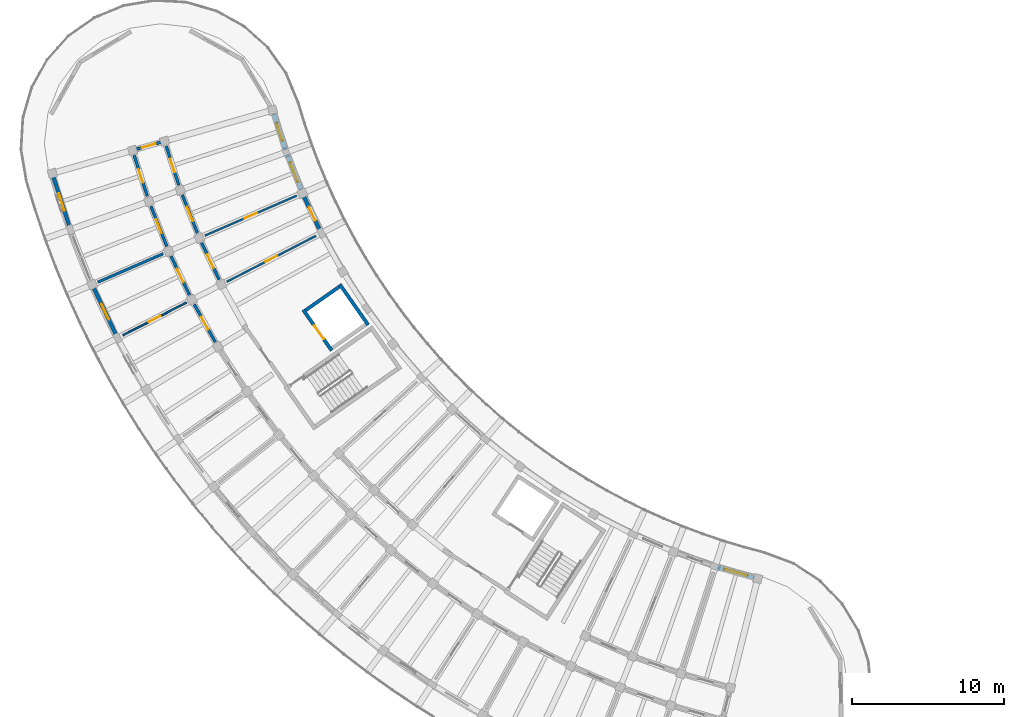
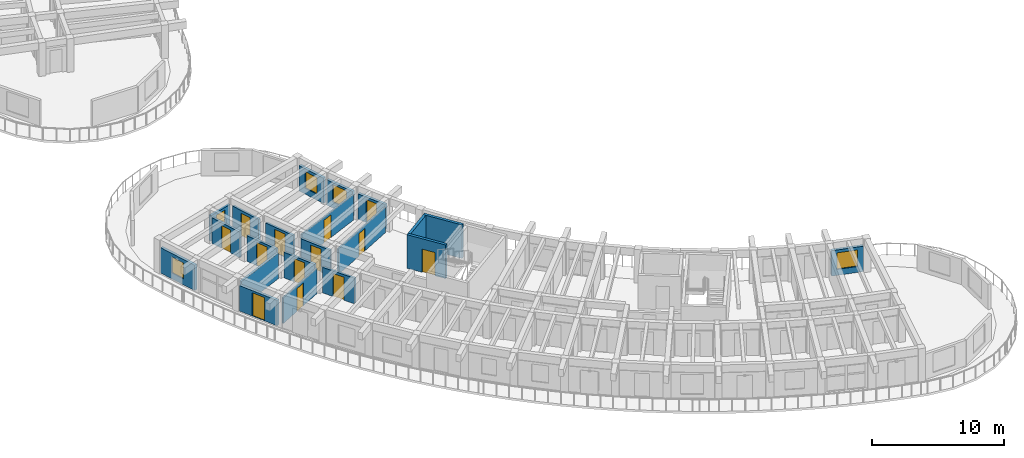
# One storey, part 43 of 81: 21 walls, 14 doors, 4 windows, 18 openings.
"""IFC4 building model written with IfcOpenShell, lengths in metres."""

from ifc_helpers import new_model, si_unit, direction, frame, frame_2d, origin, place, context, subcontext, project, spatial, rectangle, extrude, material, layer, layer_set, type_object, element, fill, save


model = new_model("IFC4")

# Units and contexts
model_context = context("Model", 3, precision=1e-05, world=origin(), true_north=direction((0.0, 1.0)))
body_context = subcontext(model_context, "Body", "Model", "MODEL_VIEW")
ifc_project = project(units=[si_unit("LENGTHUNIT", "METRE"), si_unit("AREAUNIT", "SQUARE_METRE"), si_unit("VOLUMEUNIT", "CUBIC_METRE"), si_unit("PLANEANGLEUNIT", "RADIAN"), si_unit("MASSUNIT", "GRAM", prefix="KILO")], contexts=[model_context])

# Site, building, storey
site_placement = place(None, origin())
site = spatial("IfcSite", under=ifc_project, at=site_placement, CompositionType="ELEMENT")
building_placement = place(site_placement, origin())
building = spatial("IfcBuilding", under=site, at=building_placement, Name="Tanwirah Colonnade Gardens", CompositionType="ELEMENT")
storey_placement = place(building_placement, frame((0.0, 0.0, 18.919921875)))
storey = spatial("IfcBuildingStorey", under=building, at=storey_placement, Name="L05", CompositionType="ELEMENT", Elevation=18.919921875)

# Wall, opening, window
ifc_material_1 = material(Name="Limestone architectural precast concrete C40/50", Category="masonry")
ifc_layer_1 = layer(ifc_material_1, 0.2451171875)
ifc_layer_set_1 = layer_set([ifc_layer_1], Name="Limestone architectural precast concrete C40/50")
wall_type_1 = type_object("IfcWallType", Name="EW-PC245", PredefinedType="SOLIDWALL", material=ifc_layer_set_1)
wall_1_placement = place(storey_placement, frame((7.83349609375, 47.847900390625, 0.0), z_axis=(0.0, 0.0, 1.0), x_axis=(0.306949591136, -0.951725773793, 0.0)))
wall_1 = element("IfcWall", 1, at=wall_1_placement, inside=storey, type_object=wall_type_1, Name="Block C L05 OUT Precast Facade Wall 0", PredefinedType="SOLIDWALL", context=body_context, shape_type="SweptSolid", body=[
    extrude(rectangle(XDim=3.48681640625, YDim=0.2451171875, at=frame_2d((1.743408203125, 0.0))), origin(), (0.0, 0.0, 1.0), 2.35498046875),
])
opening_1_placement = place(wall_1_placement, frame((1.1533203125, 0.0, 0.550048828125)))
opening_1 = element("IfcOpeningElement", 2, at=opening_1_placement, cuts=wall_1, Name="Opening WIN-T16", PredefinedType="OPENING", context=body_context, shape_type="SweptSolid", body=[
    extrude(rectangle(XDim=1.179931640625, YDim=1.47998046875, at=frame_2d((0.58984375, 0.739990234375))), frame((0.0, 0.132568359375, 0.0), z_axis=(0.0, -1.0, 0.0), x_axis=(1.0, 0.0, 0.0)), (0.0, 0.0, 1.0), 0.26513671875),
])
ifc_material_2 = material(Name="Thermally broken bronze aluminium and solar low-E double glazing", Category="aluminium")
window_type_1 = type_object("IfcWindowType", Name="WIN-T16", PartitioningType="SINGLE_PANEL", PredefinedType="WINDOW", material=ifc_material_2)
window_1_placement = place(opening_1_placement, origin())
window_1 = element("IfcWindow", 3, at=window_1_placement, inside=storey, type_object=window_type_1, Name="Facade window C-L05-OUT-00", OverallHeight=1.47998046875, OverallWidth=1.179931640625, PartitioningType="SINGLE_PANEL", PredefinedType="WINDOW", context=body_context, shape_type="SweptSolid", body=[
    extrude(rectangle(XDim=1.179931640625, YDim=1.47998046875, at=frame_2d((0.58984375, 0.739990234375))), frame((0.0, 0.030029296875, 0.0), z_axis=(0.0, -1.0, 0.0), x_axis=(1.0, 0.0, 0.0)), (0.0, 0.0, 1.0), 0.06005859375),
])
fill(opening_1, window_1)

wall_2_placement = place(storey_placement, frame((22.3486328125, 52.010009765625, 0.0), z_axis=(0.0, 0.0, 1.0), x_axis=(0.306979942778, -0.951715984279, 0.0)))
wall_2 = element("IfcWall", 4, at=wall_2_placement, inside=storey, type_object=wall_type_1, Name="Block C L05 IN Precast Facade Wall 0", PredefinedType="SOLIDWALL", context=body_context, shape_type="SweptSolid", body=[
    extrude(rectangle(XDim=2.498779296875, YDim=0.2451171875, at=frame_2d((1.24951171875, 0.0))), origin(), (0.0, 0.0, 1.0), 2.35498046875),
])
opening_2_placement = place(wall_2_placement, frame((0.62939453125, 0.0, 0.550048828125)))
opening_2 = element("IfcOpeningElement", 5, at=opening_2_placement, cuts=wall_2, Name="Opening WIN-U03", PredefinedType="OPENING", context=body_context, shape_type="SweptSolid", body=[
    extrude(rectangle(XDim=1.239990234375, YDim=1.534912109375, at=frame_2d((0.6201171875, 0.767578125))), frame((0.0, 0.132568359375, 0.0), z_axis=(0.0, -1.0, 0.0), x_axis=(1.0, 0.0, 0.0)), (0.0, 0.0, 1.0), 0.26513671875),
])
window_type_2 = type_object("IfcWindowType", Name="WIN-U03", PartitioningType="DOUBLE_PANEL_VERTICAL", PredefinedType="WINDOW", material=ifc_material_2)
window_2_placement = place(opening_2_placement, origin())
window_2 = element("IfcWindow", 6, at=window_2_placement, inside=storey, type_object=window_type_2, Name="Facade window C-L05-IN-00", OverallHeight=1.534912109375, OverallWidth=1.239990234375, PartitioningType="SINGLE_PANEL", PredefinedType="WINDOW", context=body_context, shape_type="SweptSolid", body=[
    extrude(rectangle(XDim=1.239990234375, YDim=1.534912109375, at=frame_2d((0.6201171875, 0.767578125))), frame((0.0, 0.030029296875, 0.0), z_axis=(0.0, -1.0, 0.0), x_axis=(1.0, 0.0, 0.0)), (0.0, 0.0, 1.0), 0.06005859375),
])
fill(opening_2, window_2)

wall_3_placement = place(storey_placement, frame((23.2236328125, 49.330810546875, 0.0), z_axis=(0.0, 0.0, 1.0), x_axis=(0.368558756085, -0.9296044553, 0.0)))
wall_3 = element("IfcWall", 7, at=wall_3_placement, inside=storey, type_object=wall_type_1, Name="Block C L05 IN Precast Facade Wall 1", PredefinedType="SOLIDWALL", context=body_context, shape_type="SweptSolid", body=[
    extrude(rectangle(XDim=2.49853515625, YDim=0.2451171875, at=frame_2d((1.249267578125, 0.0))), origin(), (0.0, 0.0, 1.0), 2.35498046875),
])
opening_3_placement = place(wall_3_placement, frame((0.5693359375, 0.0, 0.550048828125)))
opening_3 = element("IfcOpeningElement", 8, at=opening_3_placement, cuts=wall_3, Name="Opening WIN-U06", PredefinedType="OPENING", context=body_context, shape_type="SweptSolid", body=[
    extrude(rectangle(XDim=1.360107421875, YDim=1.610107421875, at=frame_2d((0.68017578125, 0.80517578125))), frame((0.0, 0.132568359375, 0.0), z_axis=(0.0, -1.0, 0.0), x_axis=(1.0, 0.0, 0.0)), (0.0, 0.0, 1.0), 0.26513671875),
])
window_type_3 = type_object("IfcWindowType", Name="WIN-U06", PartitioningType="DOUBLE_PANEL_VERTICAL", PredefinedType="WINDOW", material=ifc_material_2)
window_3_placement = place(opening_3_placement, origin())
window_3 = element("IfcWindow", 9, at=window_3_placement, inside=storey, type_object=window_type_3, Name="Facade window C-L05-IN-01", OverallHeight=1.610107421875, OverallWidth=1.360107421875, PartitioningType="SINGLE_PANEL", PredefinedType="WINDOW", context=body_context, shape_type="SweptSolid", body=[
    extrude(rectangle(XDim=1.360107421875, YDim=1.610107421875, at=frame_2d((0.68017578125, 0.80517578125))), frame((0.0, 0.030029296875, 0.0), z_axis=(0.0, -1.0, 0.0), x_axis=(1.0, 0.0, 0.0)), (0.0, 0.0, 1.0), 0.06005859375),
])
fill(opening_3, window_3)

# Wall, opening, door
wall_4_placement = place(storey_placement, frame((10.49609375, 40.528564453125, 0.0), z_axis=(0.0, 0.0, 1.0), x_axis=(0.428576879122, -0.903505317462, 0.0)))
wall_4 = element("IfcWall", 10, at=wall_4_placement, inside=storey, type_object=wall_type_1, Name="Block C L05 OUT Precast Facade Wall 2", PredefinedType="SOLIDWALL", context=body_context, shape_type="SweptSolid", body=[
    extrude(rectangle(XDim=3.48681640625, YDim=0.2451171875, at=frame_2d((1.743408203125, 0.0))), origin(), (0.0, 0.0, 1.0), 2.35498046875),
])
opening_4_placement = place(wall_4_placement, frame((1.17333984375, 0.0, 0.0)))
opening_4 = element("IfcOpeningElement", 11, at=opening_4_placement, cuts=wall_4, Name="Opening L05-ED149", PredefinedType="OPENING", context=body_context, shape_type="SweptSolid", body=[
    extrude(rectangle(XDim=1.139892578125, YDim=2.159912109375, at=frame_2d((0.56982421875, 1.080078125))), frame((0.0, 0.132568359375, 0.0), z_axis=(0.0, -1.0, 0.0), x_axis=(1.0, 0.0, 0.0)), (0.0, 0.0, 1.0), 0.26513671875),
])
ifc_material_3 = material(Name="Bronze aluminium glazed balcony door", Category="aluminium")
door_type_1 = type_object("IfcDoorType", Name="ED-BAL114", OperationType="NOTDEFINED", PredefinedType="DOOR", material=ifc_material_3)
door_1_placement = place(opening_4_placement, origin())
door_1 = element("IfcDoor", 12, at=door_1_placement, inside=storey, type_object=door_type_1, Name="Balcony glazed door L05-ED149", OperationType="SINGLE_SWING_RIGHT", OverallHeight=2.159912109375, OverallWidth=1.139892578125, PredefinedType="DOOR", context=body_context, shape_type="SweptSolid", body=[
    extrude(rectangle(XDim=1.139892578125, YDim=2.159912109375, at=frame_2d((0.56982421875, 1.080078125))), frame((0.0, 0.02490234375, 0.0), z_axis=(0.0, -1.0, 0.0), x_axis=(1.0, 0.0, 0.0)), (0.0, 0.0, 1.0), 0.050048828125),
])
fill(opening_4, door_1)

wall_5_placement = place(storey_placement, frame((24.34375, 46.5498046875, 0.0), z_axis=(0.0, 0.0, 1.0), x_axis=(0.428514676045, -0.903534820809, 0.0)))
wall_5 = element("IfcWall", 13, at=wall_5_placement, inside=storey, type_object=wall_type_1, Name="Block C L05 IN Precast Facade Wall 2", PredefinedType="SOLIDWALL", context=body_context, shape_type="SweptSolid", body=[
    extrude(rectangle(XDim=2.498779296875, YDim=0.2451171875, at=frame_2d((1.24951171875, 0.0))), origin(), (0.0, 0.0, 1.0), 2.35498046875),
])
opening_5_placement = place(wall_5_placement, frame((0.759521484375, 0.0, 0.0)))
opening_5 = element("IfcOpeningElement", 14, at=opening_5_placement, cuts=wall_5, Name="Opening L05-ED150", PredefinedType="OPENING", context=body_context, shape_type="SweptSolid", body=[
    extrude(rectangle(XDim=0.97998046875, YDim=2.1201171875, at=frame_2d((0.489990234375, 1.06005859375))), frame((0.0, 0.132568359375, 0.0), z_axis=(0.0, -1.0, 0.0), x_axis=(1.0, 0.0, 0.0)), (0.0, 0.0, 1.0), 0.26513671875),
])
door_type_2 = type_object("IfcDoorType", Name="ED-BAL098", OperationType="NOTDEFINED", PredefinedType="DOOR", material=ifc_material_3)
door_2_placement = place(opening_5_placement, origin())
door_2 = element("IfcDoor", 15, at=door_2_placement, inside=storey, type_object=door_type_2, Name="Balcony glazed door L05-ED150", OperationType="SINGLE_SWING_RIGHT", OverallHeight=2.1201171875, OverallWidth=0.97998046875, PredefinedType="DOOR", context=body_context, shape_type="SweptSolid", body=[
    extrude(rectangle(XDim=0.97998046875, YDim=2.1201171875, at=frame_2d((0.489990234375, 1.06005859375))), frame((0.0, 0.02490234375, 0.0), z_axis=(0.0, -1.0, 0.0), x_axis=(1.0, 0.0, 0.0)), (0.0, 0.0, 1.0), 0.050048828125),
])
fill(opening_5, door_2)

# Wall, opening, window
wall_6_placement = place(storey_placement, frame((51.602783203125, 22.122314453125, 0.0), z_axis=(0.0, 0.0, 1.0), x_axis=(0.961847744742, -0.273585299195, 0.0)))
wall_6 = element("IfcWall", 16, at=wall_6_placement, inside=storey, type_object=wall_type_1, Name="Block C L05 IN Precast Facade Wall 15", PredefinedType="SOLIDWALL", context=body_context, shape_type="SweptSolid", body=[
    extrude(rectangle(XDim=2.49853515625, YDim=0.2451171875, at=frame_2d((1.249267578125, 0.0))), origin(), (0.0, 0.0, 1.0), 2.35498046875),
])
opening_6_placement = place(wall_6_placement, frame((0.449462890625, 0.0, 0.550048828125)))
opening_6 = element("IfcOpeningElement", 17, at=opening_6_placement, cuts=wall_6, Name="Opening WIN-U12", PredefinedType="OPENING", context=body_context, shape_type="SweptSolid", body=[
    extrude(rectangle(XDim=1.60009765625, YDim=1.534912109375, at=frame_2d((0.800048828125, 0.767578125))), frame((0.0, 0.132568359375, 0.0), z_axis=(0.0, -1.0, 0.0), x_axis=(1.0, 0.0, 0.0)), (0.0, 0.0, 1.0), 0.26513671875),
])
window_type_4 = type_object("IfcWindowType", Name="WIN-U12", PartitioningType="DOUBLE_PANEL_VERTICAL", PredefinedType="WINDOW", material=ifc_material_2)
window_4_placement = place(opening_6_placement, origin())
window_4 = element("IfcWindow", 18, at=window_4_placement, inside=storey, type_object=window_type_4, Name="Facade window C-L05-IN-15", OverallHeight=1.534912109375, OverallWidth=1.60009765625, PartitioningType="SINGLE_PANEL", PredefinedType="WINDOW", context=body_context, shape_type="SweptSolid", body=[
    extrude(rectangle(XDim=1.60009765625, YDim=1.534912109375, at=frame_2d((0.800048828125, 0.767578125))), frame((0.0, 0.030029296875, 0.0), z_axis=(0.0, -1.0, 0.0), x_axis=(1.0, 0.0, 0.0)), (0.0, 0.0, 1.0), 0.06005859375),
])
fill(opening_6, window_4)

# Wall, opening, door
ifc_material_4 = material(Name="Precast concrete C40/50", Category="concrete")
ifc_layer_2 = layer(ifc_material_4, 0.195068359375)
ifc_layer_set_2 = layer_set([ifc_layer_2], Name="Precast concrete C40/50")
wall_type_2 = type_object("IfcWallType", Name="IW-CORR195", PredefinedType="PARTITIONING", material=ifc_layer_set_2)
wall_7_placement = place(storey_placement, frame((13.151123046875, 49.268798828125, 0.0), z_axis=(0.0, 0.0, 1.0), x_axis=(0.30694495224, -0.951727269912, 0.0)))
wall_7 = element("IfcWall", 19, at=wall_7_placement, inside=storey, type_object=wall_type_2, Name="Block C L05 OUT Corridor Wall 0", PredefinedType="PARTITIONING", context=body_context, shape_type="SweptSolid", body=[
    extrude(rectangle(XDim=2.837158203125, YDim=0.195068359375, at=frame_2d((1.41845703125, 0.0))), origin(), (0.0, 0.0, 1.0), 2.3701171875),
])
opening_7_placement = place(wall_7_placement, frame((0.95361328125, 0.0, 0.0)))
opening_7 = element("IfcOpeningElement", 20, at=opening_7_placement, cuts=wall_7, Name="Opening L05-AD1467", PredefinedType="OPENING", context=body_context, shape_type="SweptSolid", body=[
    extrude(rectangle(XDim=0.929931640625, YDim=2.1201171875, at=frame_2d((0.46484375, 1.06005859375))), frame((0.0, 0.107421875, 0.0), z_axis=(0.0, -1.0, 0.0), x_axis=(1.0, 0.0, 0.0)), (0.0, 0.0, 1.0), 0.215087890625),
])
ifc_material_5 = material(Name="Solid oak fire-resisting apartment entrance door")
door_type_3 = type_object("IfcDoorType", Name="ID-FLT093", OperationType="NOTDEFINED", PredefinedType="DOOR", material=ifc_material_5)
door_3_placement = place(opening_7_placement, origin())
door_3 = element("IfcDoor", 21, at=door_3_placement, inside=storey, type_object=door_type_3, Name="Apartment corridor door L05-AD1467", OperationType="SINGLE_SWING_RIGHT", OverallHeight=2.1201171875, OverallWidth=0.929931640625, PredefinedType="DOOR", context=body_context, shape_type="SweptSolid", body=[
    extrude(rectangle(XDim=0.929931640625, YDim=2.1201171875, at=frame_2d((0.46484375, 1.06005859375))), frame((0.0, 0.02490234375, 0.0), z_axis=(0.0, -1.0, 0.0), x_axis=(1.0, 0.0, 0.0)), (0.0, 0.0, 1.0), 0.050048828125),
])
fill(opening_7, door_3)

wall_8_placement = place(storey_placement, frame((15.26611328125, 49.875, 0.0), z_axis=(0.0, 0.0, 1.0), x_axis=(0.306883578189, -0.951747061691, 0.0)))
wall_8 = element("IfcWall", 22, at=wall_8_placement, inside=storey, type_object=wall_type_2, Name="Block C L05 IN Corridor Wall 0", PredefinedType="PARTITIONING", context=body_context, shape_type="SweptSolid", body=[
    extrude(rectangle(XDim=2.69287109375, YDim=0.195068359375, at=frame_2d((1.346435546875, 0.0))), origin(), (0.0, 0.0, 1.0), 2.3701171875),
])
opening_8_placement = place(wall_8_placement, frame((0.881591796875, 0.0, 0.0)))
opening_8 = element("IfcOpeningElement", 23, at=opening_8_placement, cuts=wall_8, Name="Opening L05-AD1468", PredefinedType="OPENING", context=body_context, shape_type="SweptSolid", body=[
    extrude(rectangle(XDim=0.929931640625, YDim=2.1201171875, at=frame_2d((0.46484375, 1.06005859375))), frame((0.0, 0.107421875, 0.0), z_axis=(0.0, -1.0, 0.0), x_axis=(1.0, 0.0, 0.0)), (0.0, 0.0, 1.0), 0.215087890625),
])
door_4_placement = place(opening_8_placement, origin())
door_4 = element("IfcDoor", 24, at=door_4_placement, inside=storey, type_object=door_type_3, Name="Apartment corridor door L05-AD1468", OperationType="SINGLE_SWING_LEFT", OverallHeight=2.1201171875, OverallWidth=0.929931640625, PredefinedType="DOOR", context=body_context, shape_type="SweptSolid", body=[
    extrude(rectangle(XDim=0.929931640625, YDim=2.1201171875, at=frame_2d((0.46484375, 1.06005859375))), frame((0.0, 0.02490234375, 0.0), z_axis=(0.0, -1.0, 0.0), x_axis=(1.0, 0.0, 0.0)), (0.0, 0.0, 1.0), 0.050048828125),
])
fill(opening_8, door_4)

wall_9_placement = place(storey_placement, frame((14.25830078125, 45.91015625, 0.0), z_axis=(0.0, 0.0, 1.0), x_axis=(0.368584691693, -0.929594172233, 0.0)))
wall_9 = element("IfcWall", 25, at=wall_9_placement, inside=storey, type_object=wall_type_2, Name="Block C L05 OUT Corridor Wall 1", PredefinedType="PARTITIONING", context=body_context, shape_type="SweptSolid", body=[
    extrude(rectangle(XDim=2.8369140625, YDim=0.195068359375, at=frame_2d((1.41845703125, 0.0))), origin(), (0.0, 0.0, 1.0), 2.3701171875),
])
opening_9_placement = place(wall_9_placement, frame((0.923583984375, 0.0, 0.0)))
opening_9 = element("IfcOpeningElement", 26, at=opening_9_placement, cuts=wall_9, Name="Opening L05-AD1469", PredefinedType="OPENING", context=body_context, shape_type="SweptSolid", body=[
    extrude(rectangle(XDim=0.989990234375, YDim=2.159912109375, at=frame_2d((0.4951171875, 1.080078125))), frame((0.0, 0.107421875, 0.0), z_axis=(0.0, -1.0, 0.0), x_axis=(1.0, 0.0, 0.0)), (0.0, 0.0, 1.0), 0.215087890625),
])
door_type_4 = type_object("IfcDoorType", Name="ID-FLT099", OperationType="NOTDEFINED", PredefinedType="DOOR", material=ifc_material_5)
door_5_placement = place(opening_9_placement, origin())
door_5 = element("IfcDoor", 27, at=door_5_placement, inside=storey, type_object=door_type_4, Name="Apartment corridor door L05-AD1469", OperationType="SINGLE_SWING_LEFT", OverallHeight=2.159912109375, OverallWidth=0.989990234375, PredefinedType="DOOR", context=body_context, shape_type="SweptSolid", body=[
    extrude(rectangle(XDim=0.989990234375, YDim=2.159912109375, at=frame_2d((0.4951171875, 1.080078125))), frame((0.0, 0.02490234375, 0.0), z_axis=(0.0, -1.0, 0.0), x_axis=(1.0, 0.0, 0.0)), (0.0, 0.0, 1.0), 0.050048828125),
])
fill(opening_9, door_5)

wall_10_placement = place(storey_placement, frame((16.3291015625, 46.653564453125, 0.0), z_axis=(0.0, 0.0, 1.0), x_axis=(0.368528468945, -0.929616462622, 0.0)))
wall_10 = element("IfcWall", 28, at=wall_10_placement, inside=storey, type_object=wall_type_2, Name="Block C L05 IN Corridor Wall 1", PredefinedType="PARTITIONING", context=body_context, shape_type="SweptSolid", body=[
    extrude(rectangle(XDim=2.69287109375, YDim=0.195068359375, at=frame_2d((1.346435546875, 0.0))), origin(), (0.0, 0.0, 1.0), 2.3701171875),
])
opening_10_placement = place(wall_10_placement, frame((0.8515625, 0.0, 0.0)))
opening_10 = element("IfcOpeningElement", 29, at=opening_10_placement, cuts=wall_10, Name="Opening L05-AD1470", PredefinedType="OPENING", context=body_context, shape_type="SweptSolid", body=[
    extrude(rectangle(XDim=0.989990234375, YDim=2.159912109375, at=frame_2d((0.4951171875, 1.080078125))), frame((0.0, 0.107421875, 0.0), z_axis=(0.0, -1.0, 0.0), x_axis=(1.0, 0.0, 0.0)), (0.0, 0.0, 1.0), 0.215087890625),
])
door_6_placement = place(opening_10_placement, origin())
door_6 = element("IfcDoor", 30, at=door_6_placement, inside=storey, type_object=door_type_4, Name="Apartment corridor door L05-AD1470", OperationType="SINGLE_SWING_RIGHT", OverallHeight=2.159912109375, OverallWidth=0.989990234375, PredefinedType="DOOR", context=body_context, shape_type="SweptSolid", body=[
    extrude(rectangle(XDim=0.989990234375, YDim=2.159912109375, at=frame_2d((0.4951171875, 1.080078125))), frame((0.0, 0.02490234375, 0.0), z_axis=(0.0, -1.0, 0.0), x_axis=(1.0, 0.0, 0.0)), (0.0, 0.0, 1.0), 0.050048828125),
])
fill(opening_10, door_6)

wall_11_placement = place(storey_placement, frame((15.5830078125, 42.63134765625, 0.0), z_axis=(0.0, 0.0, 1.0), x_axis=(0.428493237107, -0.903544988229, 0.0)))
wall_11 = element("IfcWall", 31, at=wall_11_placement, inside=storey, type_object=wall_type_2, Name="Block C L05 OUT Corridor Wall 2", PredefinedType="PARTITIONING", context=body_context, shape_type="SweptSolid", body=[
    extrude(rectangle(XDim=2.8369140625, YDim=0.195068359375, at=frame_2d((1.41845703125, 0.0))), origin(), (0.0, 0.0, 1.0), 2.3701171875),
])
opening_11_placement = place(wall_11_placement, frame((0.93359375, 0.0, 0.0)))
opening_11 = element("IfcOpeningElement", 32, at=opening_11_placement, cuts=wall_11, Name="Opening L05-AD1472", PredefinedType="OPENING", context=body_context, shape_type="SweptSolid", body=[
    extrude(rectangle(XDim=0.969970703125, YDim=2.14990234375, at=frame_2d((0.48486328125, 1.074951171875))), frame((0.0, 0.107421875, 0.0), z_axis=(0.0, -1.0, 0.0), x_axis=(1.0, 0.0, 0.0)), (0.0, 0.0, 1.0), 0.215087890625),
])
door_type_5 = type_object("IfcDoorType", Name="ID-FLT097", OperationType="NOTDEFINED", PredefinedType="DOOR", material=ifc_material_5)
door_7_placement = place(opening_11_placement, origin())
door_7 = element("IfcDoor", 33, at=door_7_placement, inside=storey, type_object=door_type_5, Name="Apartment corridor door L05-AD1472", OperationType="SINGLE_SWING_RIGHT", OverallHeight=2.14990234375, OverallWidth=0.969970703125, PredefinedType="DOOR", context=body_context, shape_type="SweptSolid", body=[
    extrude(rectangle(XDim=0.969970703125, YDim=2.14990234375, at=frame_2d((0.48486328125, 1.074951171875))), frame((0.0, 0.02490234375, 0.0), z_axis=(0.0, -1.0, 0.0), x_axis=(1.0, 0.0, 0.0)), (0.0, 0.0, 1.0), 0.050048828125),
])
fill(opening_11, door_7)

wall_12_placement = place(storey_placement, frame((17.600341796875, 43.508544921875, 0.0), z_axis=(0.0, 0.0, 1.0), x_axis=(0.428550049392, -0.903518043631, 0.0)))
wall_12 = element("IfcWall", 34, at=wall_12_placement, inside=storey, type_object=wall_type_2, Name="Block C L05 IN Corridor Wall 2", PredefinedType="PARTITIONING", context=body_context, shape_type="SweptSolid", body=[
    extrude(rectangle(XDim=2.69287109375, YDim=0.195068359375, at=frame_2d((1.346435546875, 0.0))), origin(), (0.0, 0.0, 1.0), 2.3701171875),
])
opening_12_placement = place(wall_12_placement, frame((0.861572265625, 0.0, 0.0)))
opening_12 = element("IfcOpeningElement", 35, at=opening_12_placement, cuts=wall_12, Name="Opening L05-AD1473", PredefinedType="OPENING", context=body_context, shape_type="SweptSolid", body=[
    extrude(rectangle(XDim=0.969970703125, YDim=2.14990234375, at=frame_2d((0.48486328125, 1.074951171875))), frame((0.0, 0.107421875, 0.0), z_axis=(0.0, -1.0, 0.0), x_axis=(1.0, 0.0, 0.0)), (0.0, 0.0, 1.0), 0.215087890625),
])
door_8_placement = place(opening_12_placement, origin())
door_8 = element("IfcDoor", 36, at=door_8_placement, inside=storey, type_object=door_type_5, Name="Apartment corridor door L05-AD1473", OperationType="SINGLE_SWING_LEFT", OverallHeight=2.14990234375, OverallWidth=0.969970703125, PredefinedType="DOOR", context=body_context, shape_type="SweptSolid", body=[
    extrude(rectangle(XDim=0.969970703125, YDim=2.14990234375, at=frame_2d((0.48486328125, 1.074951171875))), frame((0.0, 0.02490234375, 0.0), z_axis=(0.0, -1.0, 0.0), x_axis=(1.0, 0.0, 0.0)), (0.0, 0.0, 1.0), 0.050048828125),
])
fill(opening_12, door_8)

wall_13_placement = place(storey_placement, frame((17.118896484375, 39.4462890625, 0.0), z_axis=(0.0, 0.0, 1.0), x_axis=(0.48673124079, -0.8735517725, 0.0)))
wall_13 = element("IfcWall", 37, at=wall_13_placement, inside=storey, type_object=wall_type_2, Name="Block C L05 OUT Corridor Wall 3", PredefinedType="PARTITIONING", context=body_context, shape_type="SweptSolid", body=[
    extrude(rectangle(XDim=2.8369140625, YDim=0.195068359375, at=frame_2d((1.41845703125, 0.0))), origin(), (0.0, 0.0, 1.0), 2.3701171875),
])
opening_13_placement = place(wall_13_placement, frame((0.943603515625, 0.0, 0.0)))
opening_13 = element("IfcOpeningElement", 38, at=opening_13_placement, cuts=wall_13, Name="Opening L05-AD1476", PredefinedType="OPENING", context=body_context, shape_type="SweptSolid", body=[
    extrude(rectangle(XDim=0.949951171875, YDim=2.1298828125, at=frame_2d((0.47509765625, 1.06494140625))), frame((0.0, 0.107421875, 0.0), z_axis=(0.0, -1.0, 0.0), x_axis=(1.0, 0.0, 0.0)), (0.0, 0.0, 1.0), 0.215087890625),
])
door_type_6 = type_object("IfcDoorType", Name="ID-FLT095", OperationType="NOTDEFINED", PredefinedType="DOOR", material=ifc_material_5)
door_9_placement = place(opening_13_placement, origin())
door_9 = element("IfcDoor", 39, at=door_9_placement, inside=storey, type_object=door_type_6, Name="Apartment corridor door L05-AD1476", OperationType="SINGLE_SWING_LEFT", OverallHeight=2.1298828125, OverallWidth=0.949951171875, PredefinedType="DOOR", context=body_context, shape_type="SweptSolid", body=[
    extrude(rectangle(XDim=0.949951171875, YDim=2.1298828125, at=frame_2d((0.47509765625, 1.06494140625))), frame((0.0, 0.02490234375, 0.0), z_axis=(0.0, -1.0, 0.0), x_axis=(1.0, 0.0, 0.0)), (0.0, 0.0, 1.0), 0.050048828125),
])
fill(opening_13, door_9)

wall_14_placement = place(storey_placement, frame((15.110595703125, 50.1943359375, 0.0), z_axis=(0.0, 0.0, 1.0), x_axis=(-0.961264701934, -0.275626872449, 0.0)))
wall_14 = element("IfcWall", 40, at=wall_14_placement, inside=storey, type_object=wall_type_2, Name="Block C L05 CS Corner Suite Corridor Wall", PredefinedType="PARTITIONING", context=body_context, shape_type="SweptSolid", body=[
    extrude(rectangle(XDim=2.10009765625, YDim=0.195068359375, at=frame_2d((1.050048828125, 0.0))), origin(), (0.0, 0.0, 1.0), 2.3701171875),
])
opening_14_placement = place(wall_14_placement, frame((0.570068359375, 0.0, 0.0)))
opening_14 = element("IfcOpeningElement", 41, at=opening_14_placement, cuts=wall_14, Name="Opening L05-CD1503", PredefinedType="OPENING", context=body_context, shape_type="SweptSolid", body=[
    extrude(rectangle(XDim=0.949951171875, YDim=2.1298828125, at=frame_2d((0.47509765625, 1.06494140625))), frame((0.0, 0.107421875, 0.0), z_axis=(0.0, -1.0, 0.0), x_axis=(1.0, 0.0, 0.0)), (0.0, 0.0, 1.0), 0.215087890625),
])
door_10_placement = place(opening_14_placement, origin())
door_10 = element("IfcDoor", 42, at=door_10_placement, inside=storey, type_object=door_type_6, Name="Corner suite entrance door L05-CD1503", OperationType="SINGLE_SWING_LEFT", OverallHeight=2.1298828125, OverallWidth=0.949951171875, PredefinedType="DOOR", context=body_context, shape_type="SweptSolid", body=[
    extrude(rectangle(XDim=0.949951171875, YDim=2.1298828125, at=frame_2d((0.47509765625, 1.06494140625))), frame((0.0, 0.02490234375, 0.0), z_axis=(0.0, -1.0, 0.0), x_axis=(1.0, 0.0, 0.0)), (0.0, 0.0, 1.0), 0.050048828125),
])
fill(opening_14, door_10)

# Wall
ifc_layer_3 = layer(ifc_material_4, 0.175048828125)
ifc_layer_set_3 = layer_set([ifc_layer_3], Name="Precast concrete C40/50")
wall_type_3 = type_object("IfcWallType", Name="IW-DEM175", PredefinedType="PARTITIONING", material=ifc_layer_set_3)
wall_15_placement = place(storey_placement, frame((15.066162109375, 42.7880859375, 0.0), z_axis=(0.0, 0.0, 1.0), x_axis=(-0.917071707884, -0.398722312643, 0.0)))
element("IfcWall", 43, at=wall_15_placement, inside=storey, type_object=wall_type_3, Name="Block C L05 Radial Partition 1", PredefinedType="PARTITIONING", context=body_context, shape_type="SweptSolid", body=[
    extrude(rectangle(XDim=4.699951171875, YDim=0.175048828125, at=frame_2d((2.35009765625, 0.0))), origin(), (0.0, 0.0, 1.0), 2.3701171875),
])

# Wall, opening, door
ifc_material_6 = material(Name="Acoustic gypsum stud partition")
ifc_layer_4 = layer(ifc_material_6, 0.114990234375)
ifc_layer_set_4 = layer_set([ifc_layer_4], Name="Acoustic gypsum stud partition")
wall_type_4 = type_object("IfcWallType", Name="IW-INT115", PredefinedType="PARTITIONING", material=ifc_layer_set_4)
wall_16_placement = place(storey_placement, frame((16.593017578125, 39.56884765625, 0.0), z_axis=(0.0, 0.0, 1.0), x_axis=(-0.889013002038, -0.457881952262, 0.0)))
wall_16 = element("IfcWall", 44, at=wall_16_placement, inside=storey, type_object=wall_type_4, Name="Block C L05 Radial Partition 2", PredefinedType="PARTITIONING", context=body_context, shape_type="SweptSolid", body=[
    extrude(rectangle(XDim=4.7001953125, YDim=0.114990234375, at=frame_2d((2.35009765625, 0.0))), origin(), (0.0, 0.0, 1.0), 2.3701171875),
])
opening_15_placement = place(wall_16_placement, frame((1.905029296875, 0.0, 0.0)))
opening_15 = element("IfcOpeningElement", 45, at=opening_15_placement, cuts=wall_16, Name="Opening L05-RD1474", PredefinedType="OPENING", context=body_context, shape_type="SweptSolid", body=[
    extrude(rectangle(XDim=0.889892578125, YDim=2.10009765625, at=frame_2d((0.44482421875, 1.050048828125))), frame((0.0, 0.0673828125, 0.0), z_axis=(0.0, -1.0, 0.0), x_axis=(1.0, 0.0, 0.0)), (0.0, 0.0, 1.0), 0.135009765625),
])
ifc_material_7 = material(Name="Painted hardwood bedroom door", Category="wood")
door_type_7 = type_object("IfcDoorType", Name="ID-RM089", OperationType="NOTDEFINED", PredefinedType="DOOR", material=ifc_material_7)
door_11_placement = place(opening_15_placement, origin())
door_11 = element("IfcDoor", 46, at=door_11_placement, inside=storey, type_object=door_type_7, Name="Internal apartment door L05-RD1474", OperationType="SINGLE_SWING_RIGHT", OverallHeight=2.10009765625, OverallWidth=0.889892578125, PredefinedType="DOOR", context=body_context, shape_type="SweptSolid", body=[
    extrude(rectangle(XDim=0.889892578125, YDim=2.10009765625, at=frame_2d((0.44482421875, 1.050048828125))), frame((0.0, 0.02490234375, 0.0), z_axis=(0.0, -1.0, 0.0), x_axis=(1.0, 0.0, 0.0)), (0.0, 0.0, 1.0), 0.050048828125),
])
fill(opening_15, door_11)

ifc_material_8 = material(Name="Moisture-resistant gypsum stud partition")
ifc_layer_5 = layer(ifc_material_8, 0.125)
ifc_layer_set_5 = layer_set([ifc_layer_5], Name="Moisture-resistant gypsum stud partition")
wall_type_5 = type_object("IfcWallType", Name="IW-INT125", PredefinedType="PARTITIONING", material=ifc_layer_set_5)
wall_17_placement = place(storey_placement, frame((23.869873046875, 46.6162109375, 0.0), z_axis=(0.0, 0.0, 1.0), x_axis=(-0.9170582943, -0.398753162817, 0.0)))
wall_17 = element("IfcWall", 47, at=wall_17_placement, inside=storey, type_object=wall_type_5, Name="Block C L05 Inner Radial Partition 1", PredefinedType="PARTITIONING", context=body_context, shape_type="SweptSolid", body=[
    extrude(rectangle(XDim=6.60009765625, YDim=0.125, at=frame_2d((3.300048828125, 0.0))), origin(), (0.0, 0.0, 1.0), 2.3701171875),
])
opening_16_placement = place(wall_17_placement, frame((2.85498046875, 0.0, 0.0)))
opening_16 = element("IfcOpeningElement", 48, at=opening_16_placement, cuts=wall_17, Name="Opening L05-RD1471", PredefinedType="OPENING", context=body_context, shape_type="SweptSolid", body=[
    extrude(rectangle(XDim=0.889892578125, YDim=2.10009765625, at=frame_2d((0.44482421875, 1.050048828125))), frame((0.0, 0.072509765625, 0.0), z_axis=(0.0, -1.0, 0.0), x_axis=(1.0, 0.0, 0.0)), (0.0, 0.0, 1.0), 0.14501953125),
])
door_12_placement = place(opening_16_placement, origin())
door_12 = element("IfcDoor", 49, at=door_12_placement, inside=storey, type_object=door_type_7, Name="Internal apartment door L05-RD1471", OperationType="SINGLE_SWING_RIGHT", OverallHeight=2.10009765625, OverallWidth=0.889892578125, PredefinedType="DOOR", context=body_context, shape_type="SweptSolid", body=[
    extrude(rectangle(XDim=0.889892578125, YDim=2.10009765625, at=frame_2d((0.44482421875, 1.050048828125))), frame((0.0, 0.02490234375, 0.0), z_axis=(0.0, -1.0, 0.0), x_axis=(1.0, 0.0, 0.0)), (0.0, 0.0, 1.0), 0.050048828125),
])
fill(opening_16, door_12)

wall_18_placement = place(storey_placement, frame((25.127685546875, 43.96435546875, 0.0), z_axis=(0.0, 0.0, 1.0), x_axis=(-0.889022010753, -0.457864460727, 0.0)))
wall_18 = element("IfcWall", 50, at=wall_18_placement, inside=storey, type_object=wall_type_5, Name="Block C L05 Inner Radial Partition 2", PredefinedType="PARTITIONING", context=body_context, shape_type="SweptSolid", body=[
    extrude(rectangle(XDim=6.60009765625, YDim=0.125, at=frame_2d((3.300048828125, 0.0))), origin(), (0.0, 0.0, 1.0), 2.3701171875),
])
opening_17_placement = place(wall_18_placement, frame((2.864990234375, 0.0, 0.0)))
opening_17 = element("IfcOpeningElement", 51, at=opening_17_placement, cuts=wall_18, Name="Opening L05-RD1475", PredefinedType="OPENING", context=body_context, shape_type="SweptSolid", body=[
    extrude(rectangle(XDim=0.8701171875, YDim=2.080078125, at=frame_2d((0.43505859375, 1.0400390625))), frame((0.0, 0.072509765625, 0.0), z_axis=(0.0, -1.0, 0.0), x_axis=(1.0, 0.0, 0.0)), (0.0, 0.0, 1.0), 0.14501953125),
])
ifc_material_9 = material(Name="Painted hardwood study door", Category="wood")
door_type_8 = type_object("IfcDoorType", Name="ID-RM087", OperationType="NOTDEFINED", PredefinedType="DOOR", material=ifc_material_9)
door_13_placement = place(opening_17_placement, origin())
door_13 = element("IfcDoor", 52, at=door_13_placement, inside=storey, type_object=door_type_8, Name="Internal apartment door L05-RD1475", OperationType="SINGLE_SWING_LEFT", OverallHeight=2.080078125, OverallWidth=0.8701171875, PredefinedType="DOOR", context=body_context, shape_type="SweptSolid", body=[
    extrude(rectangle(XDim=0.8701171875, YDim=2.080078125, at=frame_2d((0.43505859375, 1.0400390625))), frame((0.0, 0.02490234375, 0.0), z_axis=(0.0, -1.0, 0.0), x_axis=(1.0, 0.0, 0.0)), (0.0, 0.0, 1.0), 0.050048828125),
])
fill(opening_17, door_13)

ifc_material_10 = material(Name="Concrete C45/55", Category="concrete")
ifc_layer_6 = layer(ifc_material_10, 0.22998046875)
ifc_layer_set_6 = layer_set([ifc_layer_6], Name="Concrete C45/55")
wall_type_6 = type_object("IfcWallType", Name="SW-LIFT230", PredefinedType="SHEAR", material=ifc_layer_set_6)
wall_19_placement = place(storey_placement, frame((26.1689453125, 36.419189453125, 0.0), z_axis=(0.0, 0.0, 1.0), x_axis=(-0.573582966431, 0.819147471839, 0.0)))
wall_19 = element("IfcWall", 53, at=wall_19_placement, inside=storey, type_object=wall_type_6, Name="CORE-C1 L05 Lift Shaft Wall FRONT", PredefinedType="SHEAR", context=body_context, shape_type="SweptSolid", body=[
    extrude(rectangle(XDim=3.260009765625, YDim=0.22998046875, at=frame_2d((1.6298828125, 0.0))), origin(), (0.0, 0.0, 1.0), 3.110107421875),
])
opening_18_placement = place(wall_19_placement, frame((0.89990234375, 0.0, 0.0)))
opening_18 = element("IfcOpeningElement", 54, at=opening_18_placement, cuts=wall_19, Name="Opening L05-LD-FL-C1", PredefinedType="OPENING", context=body_context, shape_type="SweptSolid", body=[
    extrude(rectangle(XDim=1.10009765625, YDim=2.14990234375, at=frame_2d((0.550048828125, 1.074951171875))), frame((0.0, 0.125, 0.0), z_axis=(0.0, -1.0, 0.0), x_axis=(1.0, 0.0, 0.0)), (0.0, 0.0, 1.0), 0.25),
])
ifc_material_11 = material(Name="Stainless steel sliding fire lift landing door", Category="steel")
door_type_9 = type_object("IfcDoorType", Name="LD-FF11", OperationType="DOUBLE_DOOR_SLIDING", PredefinedType="DOOR", material=ifc_material_11)
door_14_placement = place(opening_18_placement, origin())
door_14 = element("IfcDoor", 55, at=door_14_placement, inside=storey, type_object=door_type_9, Name="Lift FL-C1 L05 Sliding Landing Door", OperationType="DOUBLE_DOOR_SLIDING", OverallHeight=2.14990234375, OverallWidth=1.10009765625, PredefinedType="DOOR", context=body_context, shape_type="SweptSolid", body=[
    extrude(rectangle(XDim=1.10009765625, YDim=2.14990234375, at=frame_2d((0.550048828125, 1.074951171875))), frame((0.0, 0.02490234375, 0.0), z_axis=(0.0, -1.0, 0.0), x_axis=(1.0, 0.0, 0.0)), (0.0, 0.0, 1.0), 0.050048828125),
])
fill(opening_18, door_14)

# Walls
wall_20_placement = place(storey_placement, frame((28.569091796875, 38.099609375, 0.0), z_axis=(0.0, 0.0, 1.0), x_axis=(-0.573582966431, 0.819147471839, 0.0)))
element("IfcWall", 56, at=wall_20_placement, inside=storey, type_object=wall_type_6, Name="CORE-C1 L05 Lift Shaft Wall BACK", PredefinedType="SHEAR", context=body_context, shape_type="SweptSolid", body=[
    extrude(rectangle(XDim=3.260009765625, YDim=0.22998046875, at=frame_2d((1.6298828125, 0.0))), origin(), (0.0, 0.0, 1.0), 3.110107421875),
])
wall_21_placement = place(storey_placement, frame((24.459228515625, 39.061279296875, 0.0), z_axis=(0.0, 0.0, 1.0), x_axis=(0.819189439894, 0.573523026186, 0.0)))
element("IfcWall", 57, at=wall_21_placement, inside=storey, type_object=wall_type_6, Name="CORE-C1 L05 Lift Shaft Wall SIDEB", PredefinedType="SHEAR", context=body_context, shape_type="SweptSolid", body=[
    extrude(rectangle(XDim=2.7001953125, YDim=0.22998046875, at=frame_2d((1.35009765625, 0.0))), origin(), (0.0, 0.0, 1.0), 3.110107421875),
])

save(model, "model.ifc")
